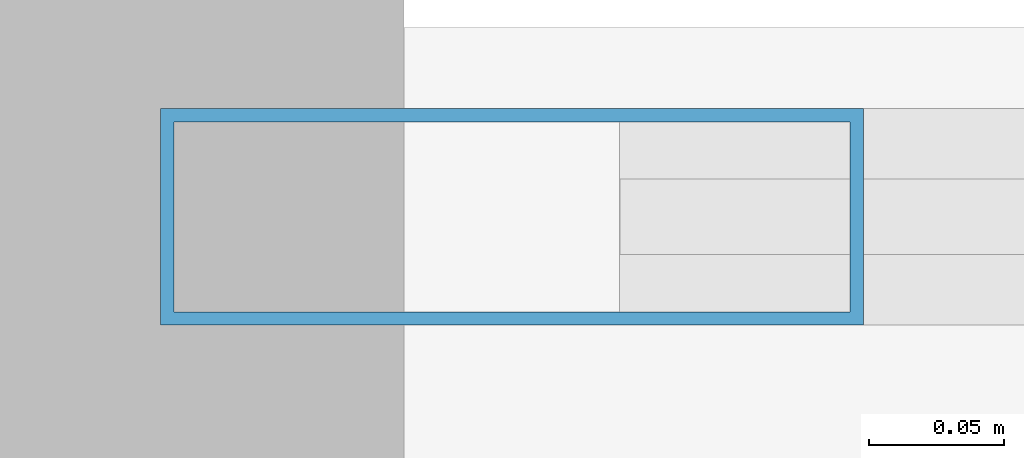
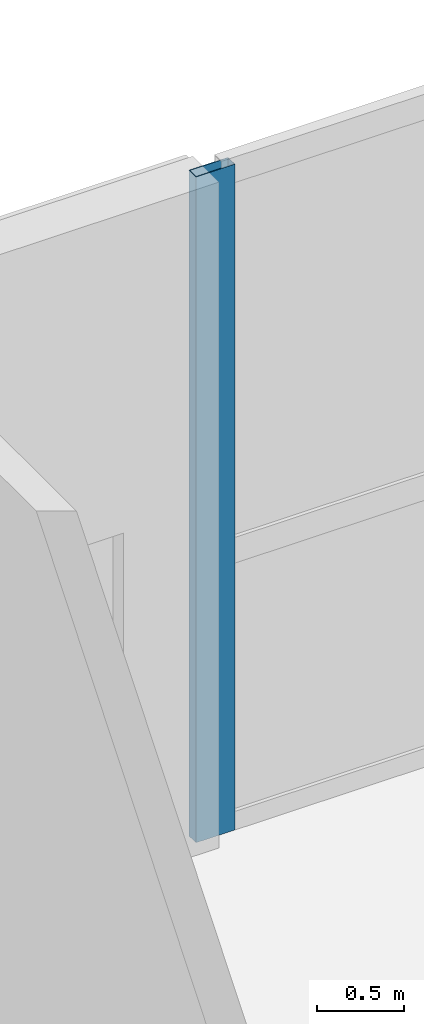
# One storey, part 6 of 27: 1 member, 1 element without a shape of its own.
"""IFC4 building model written with IfcOpenShell, lengths in metres."""

from ifc_helpers import new_model, si_unit, direction, frame, origin, origin_2d, place, context, subcontext, project, spatial, hollow_rectangle, extrude, material, layer, layer_set, material_profile, profile_set, type_object, element, aggregate, save


model = new_model("IFC4")

# Units and contexts
model_context = context("Model", 3, precision=1e-05, world=origin(), true_north=direction((0.0, 1.0)))
body_context = subcontext(model_context, "Body", "Model", "MODEL_VIEW")
ifc_project = project(units=[si_unit("LENGTHUNIT", "METRE"), si_unit("AREAUNIT", "SQUARE_METRE"), si_unit("VOLUMEUNIT", "CUBIC_METRE"), si_unit("PLANEANGLEUNIT", "RADIAN"), si_unit("MASSUNIT", "GRAM", prefix="KILO")], contexts=[model_context])

# Site, building, storey
site_placement = place(None, origin())
site = spatial("IfcSite", under=ifc_project, at=site_placement, CompositionType="ELEMENT")
building_placement = place(site_placement, origin())
building = spatial("IfcBuilding", under=site, at=building_placement, Name="Tanjung Sevakor Pilgrim Tower", CompositionType="ELEMENT")
storey_placement = place(building_placement, frame((0.0, 0.0, 9.89990234375)))
storey = spatial("IfcBuildingStorey", under=building, at=storey_placement, Name="L03", CompositionType="ELEMENT", Elevation=9.89990234375)

# Curtain wall, member
ifc_material_1 = material(Name="Aluminium 6063-T6 and Low-E Glass", Category="aluminium")
ifc_layer = layer(ifc_material_1, 0.179931640625)
ifc_layer_set = layer_set([ifc_layer], Name="CW-SYS-POD")
curtain_wall_type = type_object("IfcCurtainWallType", Name="CW-SYS-POD", PredefinedType="NOTDEFINED", material=ifc_layer_set)
curtain_wall_placement = place(storey_placement, origin())
curtain_wall = element("IfcCurtainWall", 1, at=curtain_wall_placement, inside=storey, type_object=curtain_wall_type, Name="L03 Curtain Wall CW-POD-L03-N", PredefinedType="NOTDEFINED")
ifc_material_2 = material(Name="Aluminium 6063-T6", Category="aluminium")
ifc_material_profile = material_profile(ifc_material_2, hollow_rectangle(XDim=0.080078125, YDim=0.260009765625, WallThickness=0.0048828125, at=origin_2d()))
ifc_profile_set = profile_set([ifc_material_profile], Name="Aluminium 6063-T6")
member_type = type_object("IfcMemberType", Name="TYPE-CWM-3", PredefinedType="MULLION", material=ifc_profile_set)
member_placement = place(storey_placement, frame((49.840087890625, 65.050048828125, 0.0), z_axis=(0.0, 0.0, 1.0), x_axis=(0.0, -1.0, 0.0)))
member = element("IfcMember", 2, at=member_placement, type_object=member_type, Name="CW-POD mullion 5", PredefinedType="MULLION", context=body_context, shape_type="SweptSolid", body=[
    extrude(hollow_rectangle(XDim=0.080078125, YDim=0.260009765625, WallThickness=0.0048828125, at=origin_2d()), origin(), (0.0, 0.0, 1.0), 4.670166015625),
])
aggregate(curtain_wall, [member])

save(model, "model.ifc")
